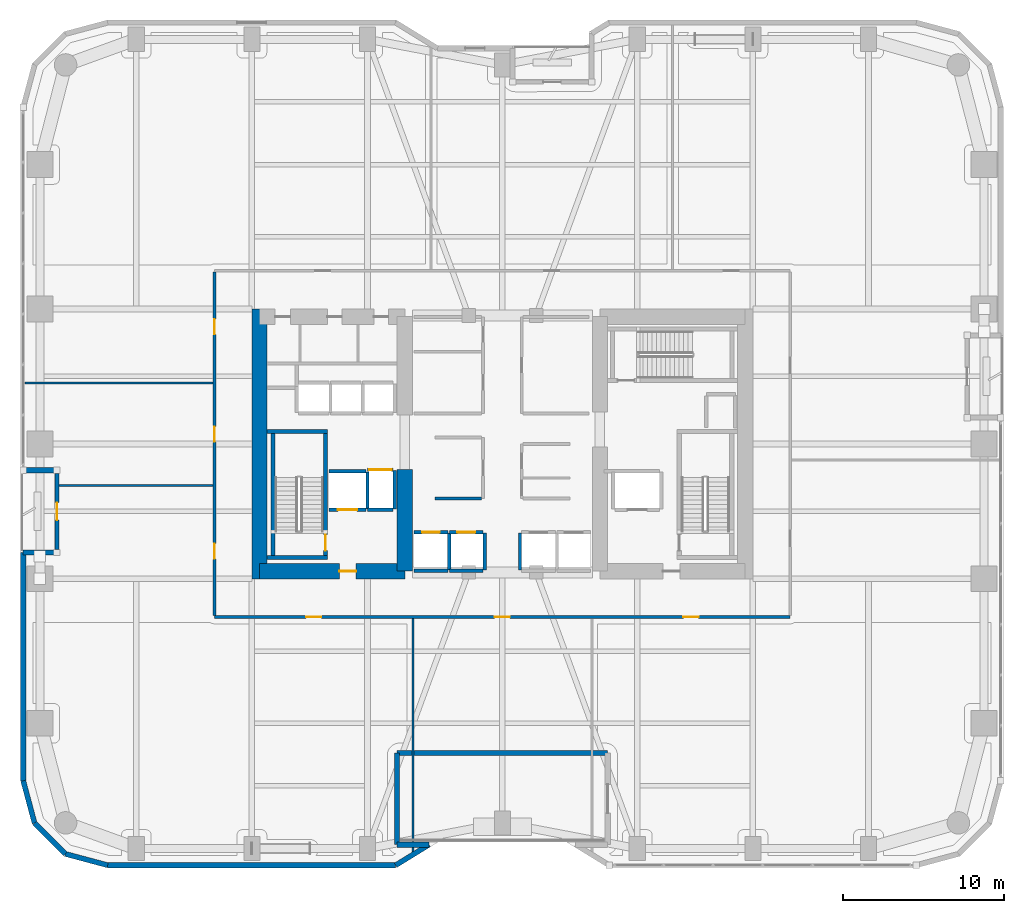
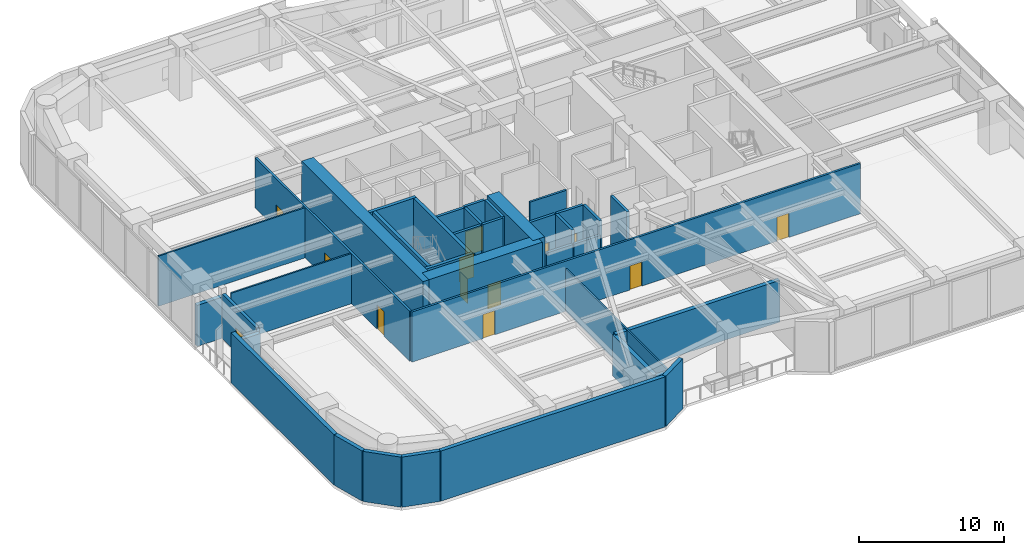
# One storey, part 17 of 25: 38 walls, 13 doors, 13 openings.
"""IFC4 building model written with IfcOpenShell, lengths in metres."""

from ifc_helpers import new_model, si_unit, direction, frame, frame_2d, origin, place, context, subcontext, project, spatial, rectangle, extrude, material, layer, layer_set, type_object, element, fill, save


model = new_model("IFC4")

# Units and contexts
model_context = context("Model", 3, precision=1e-05, world=origin(), true_north=direction((0.0, 1.0)))
body_context = subcontext(model_context, "Body", "Model", "MODEL_VIEW")
ifc_project = project(units=[si_unit("LENGTHUNIT", "METRE"), si_unit("AREAUNIT", "SQUARE_METRE"), si_unit("VOLUMEUNIT", "CUBIC_METRE"), si_unit("PLANEANGLEUNIT", "RADIAN"), si_unit("MASSUNIT", "GRAM", prefix="KILO")], contexts=[model_context])

# Site, building, storey
site_placement = place(None, origin())
site = spatial("IfcSite", under=ifc_project, at=site_placement, CompositionType="ELEMENT")
building_placement = place(site_placement, origin())
building = spatial("IfcBuilding", under=site, at=building_placement, Name="Kiyonajd Concourse Tower", CompositionType="ELEMENT")
storey_placement = place(building_placement, frame((0.0, 0.0, 68.39990234375)))
storey = spatial("IfcBuildingStorey", under=building, at=storey_placement, Name="L18", CompositionType="ELEMENT", Elevation=68.39990234375)

# Walls
ifc_material_1 = material(Name="Concrete C80/95", Category="concrete")
ifc_layer_1 = layer(ifc_material_1, 0.949951171875)
ifc_layer_set_1 = layer_set([ifc_layer_1], Name="Concrete C80/95")
wall_type_1 = type_object("IfcWallType", Name="WL-CORE-950", PredefinedType="SHEAR", material=ifc_layer_set_1)
wall_1_placement = place(storey_placement, frame((32.875, 27.60009765625, 0.0), z_axis=(0.0, 0.0, 1.0), x_axis=(0.0, 1.0, 0.0)))
element("IfcWall", 1, at=wall_1_placement, inside=storey, type_object=wall_type_1, Name="L18 West Core Outer Shear Wall", PredefinedType="SHEAR", context=body_context, shape_type="SweptSolid", body=[
    extrude(rectangle(XDim=16.7998046875, YDim=0.949951171875, at=frame_2d((8.39990234375, 0.0))), origin(), (0.0, 0.0, 1.0), 4.5),
])
wall_2_placement = place(storey_placement, frame((41.925048828125, 28.074951171875, 0.0), z_axis=(0.0, 0.0, 1.0), x_axis=(0.0, 1.0, 0.0)))
element("IfcWall", 2, at=wall_2_placement, inside=storey, type_object=wall_type_1, Name="L18 West Core Inner South Shear Wall", PredefinedType="SHEAR", context=body_context, shape_type="SweptSolid", body=[
    extrude(rectangle(XDim=6.324951171875, YDim=0.949951171875, at=frame_2d((3.16259765625, 0.0))), origin(), (0.0, 0.0, 1.0), 4.5),
])

# Wall, opening, door
wall_3_placement = place(storey_placement, frame((32.875, 28.074951171875, 0.0), z_axis=(0.0, 0.0, 1.0), x_axis=(1.0, 0.0, 0.0)))
wall_3 = element("IfcWall", 3, at=wall_3_placement, inside=storey, type_object=wall_type_1, Name="L18 West Core South Shear Wall", PredefinedType="SHEAR", context=body_context, shape_type="SweptSolid", body=[
    extrude(rectangle(XDim=9.050048828125, YDim=0.949951171875, at=frame_2d((4.52490234375, 0.0))), origin(), (0.0, 0.0, 1.0), 4.5),
])
opening_1_placement = place(wall_3_placement, frame((4.97509765625, 0.0, 0.0)))
opening_1 = element("IfcOpeningElement", 4, at=opening_1_placement, cuts=wall_3, Name="Opening DF5", PredefinedType="OPENING", context=body_context, shape_type="SweptSolid", body=[
    extrude(rectangle(XDim=1.050048828125, YDim=2.0400390625, at=frame_2d((0.52490234375, 1.02001953125))), frame((0.0, 0.48486328125, 0.0), z_axis=(0.0, -1.0, 0.0), x_axis=(1.0, 0.0, 0.0)), (0.0, 0.0, 1.0), 0.969970703125),
])
ifc_material_2 = material(Name="Brushed Stainless Steel Cab Assembly", Category="steel")
door_type_1 = type_object("IfcDoorType", Name="DR-FD45-1050", OperationType="NOTDEFINED", PredefinedType="DOOR", material=ifc_material_2)
door_1_placement = place(opening_1_placement, origin())
door_1 = element("IfcDoor", 5, at=door_1_placement, inside=storey, type_object=door_type_1, Name="L18 Firefighting Lift Lobby W Smoke Door", OperationType="SINGLE_SWING_LEFT", OverallHeight=2.0400390625, OverallWidth=1.050048828125, PredefinedType="DOOR", context=body_context, shape_type="SweptSolid", body=[
    extrude(rectangle(XDim=1.050048828125, YDim=2.0400390625, at=frame_2d((0.52490234375, 1.02001953125))), frame((0.0, 0.02490234375, 0.0), z_axis=(0.0, -1.0, 0.0), x_axis=(1.0, 0.0, 0.0)), (0.0, 0.0, 1.0), 0.050048828125),
])
fill(opening_1, door_1)

# Walls
ifc_material_3 = material(Name="Precast concrete C50/60", Category="concrete")
ifc_layer_2 = layer(ifc_material_3, 0.320068359375)
ifc_layer_set_2 = layer_set([ifc_layer_2], Name="Precast concrete C50/60")
wall_type_2 = type_object("IfcWallType", Name="WL-EXT-320", PredefinedType="SOLIDWALL", material=ifc_layer_set_2)
wall_4_placement = place(storey_placement, frame((54.56005859375, 16.760009765625, 0.0), z_axis=(0.0, 0.0, 1.0), x_axis=(-1.0, 0.0, 0.0)))
element("IfcWall", 6, at=wall_4_placement, inside=storey, type_object=wall_type_2, Name="L18 Sky Garden Threshold Wall", PredefinedType="SOLIDWALL", context=body_context, shape_type="SweptSolid", body=[
    extrude(rectangle(XDim=13.1201171875, YDim=0.320068359375, at=frame_2d((6.56005859375, 0.0))), origin(), (0.0, 0.0, 1.0), 3.530029296875),
])
wall_5_placement = place(storey_placement, frame((41.43994140625, 16.760009765625, 0.0), z_axis=(0.0, 0.0, 1.0), x_axis=(0.0, -1.0, 0.0)))
element("IfcWall", 7, at=wall_5_placement, inside=storey, type_object=wall_type_2, Name="L18 Sky Garden Threshold Wall", PredefinedType="SOLIDWALL", context=body_context, shape_type="SweptSolid", body=[
    extrude(rectangle(XDim=5.719970703125, YDim=0.320068359375, at=frame_2d((2.85986328125, 0.0))), origin(), (0.0, 0.0, 1.0), 3.47509765625),
])
wall_6_placement = place(storey_placement, frame((41.43994140625, 11.0400390625, 0.0), z_axis=(0.0, 0.0, 1.0), x_axis=(1.0, 0.0, 0.0)))
element("IfcWall", 8, at=wall_6_placement, inside=storey, type_object=wall_type_2, Name="L18 Exterior Concrete Frame Wall 15", PredefinedType="SOLIDWALL", context=body_context, shape_type="SweptSolid", body=[
    extrude(rectangle(XDim=1.994873046875, YDim=0.320068359375, at=frame_2d((0.99755859375, 0.0))), origin(), (0.0, 0.0, 1.0), 3.47509765625),
])
wall_7_placement = place(storey_placement, frame((43.434814453125, 11.0400390625, 0.0), z_axis=(0.0, 0.0, 1.0), x_axis=(-0.8516617488, -0.524091848469, 0.0)))
element("IfcWall", 9, at=wall_7_placement, inside=storey, type_object=wall_type_2, Name="L18 Exterior Concrete Frame Wall 16", PredefinedType="SOLIDWALL", context=body_context, shape_type="SweptSolid", body=[
    extrude(rectangle(XDim=2.4423828125, YDim=0.320068359375, at=frame_2d((1.22119140625, 0.0))), origin(), (0.0, 0.0, 1.0), 4.239990234375),
])
wall_8_placement = place(storey_placement, frame((41.354736328125, 9.760009765625, 0.0), z_axis=(0.0, 0.0, 1.0), x_axis=(-1.0, 0.0, 0.0)))
element("IfcWall", 10, at=wall_8_placement, inside=storey, type_object=wall_type_2, Name="L18 Exterior Concrete Frame Wall 17", PredefinedType="SOLIDWALL", context=body_context, shape_type="SweptSolid", body=[
    extrude(rectangle(XDim=17.93359375, YDim=0.320068359375, at=frame_2d((8.966796875, 0.0))), origin(), (0.0, 0.0, 1.0), 4.239990234375),
])
wall_9_placement = place(storey_placement, frame((23.421142578125, 9.760009765625, 0.0), z_axis=(0.0, 0.0, 1.0), x_axis=(-0.965964405026, 0.25867502435, 0.0)))
element("IfcWall", 11, at=wall_9_placement, inside=storey, type_object=wall_type_2, Name="L18 Exterior Concrete Frame Wall 18", PredefinedType="SOLIDWALL", context=body_context, shape_type="SweptSolid", body=[
    extrude(rectangle(XDim=2.7314453125, YDim=0.320068359375, at=frame_2d((1.36572265625, 0.0))), origin(), (0.0, 0.0, 1.0), 4.239990234375),
])
wall_10_placement = place(storey_placement, frame((20.78271484375, 10.466552734375, 0.0), z_axis=(0.0, 0.0, 1.0), x_axis=(-0.707106781187, 0.707106781187, 0.0)))
element("IfcWall", 12, at=wall_10_placement, inside=storey, type_object=wall_type_2, Name="L18 Exterior Concrete Frame Wall 19", PredefinedType="SOLIDWALL", context=body_context, shape_type="SweptSolid", body=[
    extrude(rectangle(XDim=2.7099609375, YDim=0.320068359375, at=frame_2d((1.35498046875, 0.0))), origin(), (0.0, 0.0, 1.0), 4.239990234375),
])
wall_11_placement = place(storey_placement, frame((18.866455078125, 12.3828125, 0.0), z_axis=(0.0, 0.0, 1.0), x_axis=(-0.25869736047, 0.965958423373, 0.0)))
element("IfcWall", 13, at=wall_11_placement, inside=storey, type_object=wall_type_2, Name="L18 Exterior Concrete Frame Wall 20", PredefinedType="SOLIDWALL", context=body_context, shape_type="SweptSolid", body=[
    extrude(rectangle(XDim=2.731201171875, YDim=0.320068359375, at=frame_2d((1.36572265625, 0.0))), origin(), (0.0, 0.0, 1.0), 4.239990234375),
])
wall_12_placement = place(storey_placement, frame((18.159912109375, 15.02099609375, 0.0), z_axis=(0.0, 0.0, 1.0), x_axis=(0.0, 1.0, 0.0)))
element("IfcWall", 14, at=wall_12_placement, inside=storey, type_object=wall_type_2, Name="L18 Exterior Concrete Frame Wall 21", PredefinedType="SOLIDWALL", context=body_context, shape_type="SweptSolid", body=[
    extrude(rectangle(XDim=14.218994140625, YDim=0.320068359375, at=frame_2d((7.109375, 0.0))), origin(), (0.0, 0.0, 1.0), 4.239990234375),
])
for number, where, z_axis, x_axis, name in (
    (15, (18.159912109375, 29.239990234375, 0.0), (0.0, 0.0, 1.0), (1.0, 0.0, 0.0), "L18 Exterior Concrete Frame Wall 22"),
    (16, (20.260009765625, 34.360107421875, 0.0), (0.0, 0.0, 1.0), (-1.0, 0.0, 0.0), "L18 Exterior Concrete Frame Wall 24"),
):
    element("IfcWall", number, at=place(storey_placement, frame(where, z_axis=z_axis, x_axis=x_axis)), inside=storey, type_object=wall_type_2, Name=name, PredefinedType="SOLIDWALL", context=body_context, shape_type="SweptSolid", body=[
        extrude(rectangle(XDim=2.10009765625, YDim=0.320068359375, at=frame_2d((1.050048828125, 0.0))), origin(), (0.0, 0.0, 1.0), 3.47509765625),
    ])

# Wall, opening, door
ifc_layer_3 = layer(ifc_material_3, 0.239990234375)
ifc_layer_set_3 = layer_set([ifc_layer_3], Name="Precast concrete C50/60")
wall_type_3 = type_object("IfcWallType", Name="WL-LOG-240", PredefinedType="SOLIDWALL", material=ifc_layer_set_3)
wall_13_placement = place(storey_placement, frame((20.260009765625, 29.43505859375, 0.0), z_axis=(0.0, 0.0, 1.0), x_axis=(0.0, 1.0, 0.0)))
wall_13 = element("IfcWall", 17, at=wall_13_placement, inside=storey, type_object=wall_type_3, Name="L18 Recessed Loggia Thermal Wall LOG-W", PredefinedType="SOLIDWALL", context=body_context, shape_type="SweptSolid", body=[
    extrude(rectangle(XDim=4.72998046875, YDim=0.239990234375, at=frame_2d((2.364990234375, 0.0))), origin(), (0.0, 0.0, 1.0), 3.76220703125),
])
opening_2_placement = place(wall_13_placement, frame((1.81494140625, 0.0, 0.0)))
opening_2 = element("IfcOpeningElement", 18, at=opening_2_placement, cuts=wall_13, Name="Opening DL2", PredefinedType="OPENING", context=body_context, shape_type="SweptSolid", body=[
    extrude(rectangle(XDim=1.10009765625, YDim=2.0400390625, at=frame_2d((0.550048828125, 1.02001953125))), frame((0.0, 0.1298828125, 0.0), z_axis=(0.0, -1.0, 0.0), x_axis=(1.0, 0.0, 0.0)), (0.0, 0.0, 1.0), 0.260009765625),
])
ifc_material_4 = material(Name="Thermally Broken Anodised Aluminium", Category="aluminium")
door_type_2 = type_object("IfcDoorType", Name="DR-LOG-1100", OperationType="NOTDEFINED", PredefinedType="DOOR", material=ifc_material_4)
door_2_placement = place(opening_2_placement, origin())
door_2 = element("IfcDoor", 19, at=door_2_placement, inside=storey, type_object=door_type_2, Name="L18 Engawa Loggia Access Door LOG-W", OperationType="SINGLE_SWING_RIGHT", OverallHeight=2.0400390625, OverallWidth=1.10009765625, PredefinedType="DOOR", context=body_context, shape_type="SweptSolid", body=[
    extrude(rectangle(XDim=1.10009765625, YDim=2.0400390625, at=frame_2d((0.550048828125, 1.02001953125))), frame((0.0, 0.02490234375, 0.0), z_axis=(0.0, -1.0, 0.0), x_axis=(1.0, 0.0, 0.0)), (0.0, 0.0, 1.0), 0.050048828125),
])
fill(opening_2, door_2)

# Walls
ifc_material_5 = material(Name="Gypsum Board on Cold-Formed Steel Stud", Category="steel")
ifc_layer_4 = layer(ifc_material_5, 0.125)
ifc_layer_set_4 = layer_set([ifc_layer_4], Name="Gypsum Board on Cold-Formed Steel Stud")
wall_type_4 = type_object("IfcWallType", Name="WL-PART-125", PredefinedType="PARTITIONING", material=ifc_layer_set_4)
wall_14_placement = place(storey_placement, frame((42.419921875, 10.570068359375, 0.0), z_axis=(0.0, 0.0, 1.0), x_axis=(0.0, 1.0, 0.0)))
element("IfcWall", 20, at=wall_14_placement, inside=storey, type_object=wall_type_4, Name="L18 Interior Partition Wall", PredefinedType="PARTITIONING", context=body_context, shape_type="SweptSolid", body=[
    extrude(rectangle(XDim=14.56298828125, YDim=0.125, at=frame_2d((7.281494140625, 0.0))), origin(), (0.0, 0.0, 1.0), 3.60302734375),
])
wall_15_placement = place(storey_placement, frame((20.375, 33.39990234375, 0.0), z_axis=(0.0, 0.0, 1.0), x_axis=(1.0, 0.0, 0.0)))
element("IfcWall", 21, at=wall_15_placement, inside=storey, type_object=wall_type_4, Name="L18 Interior Partition Wall", PredefinedType="PARTITIONING", context=body_context, shape_type="SweptSolid", body=[
    extrude(rectangle(XDim=9.613037109375, YDim=0.125, at=frame_2d((4.806640625, 0.0))), origin(), (0.0, 0.0, 1.0), 4.239990234375),
])
wall_16_placement = place(storey_placement, frame((18.264892578125, 39.800048828125, 0.0), z_axis=(0.0, 0.0, 1.0), x_axis=(1.0, 0.0, 0.0)))
element("IfcWall", 22, at=wall_16_placement, inside=storey, type_object=wall_type_4, Name="L18 Interior Partition Wall", PredefinedType="PARTITIONING", context=body_context, shape_type="SweptSolid", body=[
    extrude(rectangle(XDim=11.72314453125, YDim=0.125, at=frame_2d((5.861572265625, 0.0))), origin(), (0.0, 0.0, 1.0), 4.239990234375),
])

# Wall, opening, door
ifc_layer_5 = layer(ifc_material_5, 0.2099609375)
ifc_layer_set_5 = layer_set([ifc_layer_5], Name="Gypsum Board on Cold-Formed Steel Stud")
wall_type_5 = type_object("IfcWallType", Name="WL-SHAFT-210", PredefinedType="PARTITIONING", material=ifc_layer_set_5)
wall_17_placement = place(storey_placement, frame((37.199951171875, 31.89990234375, 0.0), z_axis=(0.0, 0.0, 1.0), x_axis=(1.0, 0.0, 0.0)))
wall_17 = element("IfcWall", 23, at=wall_17_placement, inside=storey, type_object=wall_type_5, Name="L18 Shaft Enclosure Wall", PredefinedType="PARTITIONING", context=body_context, shape_type="SweptSolid", body=[
    extrude(rectangle(XDim=2.300048828125, YDim=0.2099609375, at=frame_2d((1.14990234375, 0.0))), origin(), (0.0, 0.0, 1.0), 4.239990234375),
])
opening_3_placement = place(wall_17_placement, frame((0.550048828125, 0.0, 0.0)))
opening_3 = element("IfcOpeningElement", 24, at=opening_3_placement, cuts=wall_17, Name="Opening LD2", PredefinedType="OPENING", context=body_context, shape_type="SweptSolid", body=[
    extrude(rectangle(XDim=1.199951171875, YDim=2.0400390625, at=frame_2d((0.60009765625, 1.02001953125))), frame((0.0, 0.114990234375, 0.0), z_axis=(0.0, -1.0, 0.0), x_axis=(1.0, 0.0, 0.0)), (0.0, 0.0, 1.0), 0.22998046875),
])
door_type_3 = type_object("IfcDoorType", Name="DR-LD-1200", OperationType="DOUBLE_DOOR_SLIDING", PredefinedType="DOOR", material=ifc_material_2)
door_3_placement = place(opening_3_placement, origin())
door_3 = element("IfcDoor", 25, at=door_3_placement, inside=storey, type_object=door_type_3, Name="L18 Lift FFL1 Sliding Landing Door", OperationType="DOUBLE_DOOR_SLIDING", OverallHeight=2.0400390625, OverallWidth=1.199951171875, PredefinedType="DOOR", context=body_context, shape_type="SweptSolid", body=[
    extrude(rectangle(XDim=1.199951171875, YDim=2.0400390625, at=frame_2d((0.60009765625, 1.02001953125))), frame((0.0, 0.02490234375, 0.0), z_axis=(0.0, -1.0, 0.0), x_axis=(1.0, 0.0, 0.0)), (0.0, 0.0, 1.0), 0.050048828125),
])
fill(opening_3, door_3)

# Walls
wall_18_placement = place(storey_placement, frame((37.199951171875, 34.300048828125, 0.0), z_axis=(0.0, 0.0, 1.0), x_axis=(1.0, 0.0, 0.0)))
element("IfcWall", 26, at=wall_18_placement, inside=storey, type_object=wall_type_5, Name="L18 Shaft Enclosure Wall", PredefinedType="PARTITIONING", context=body_context, shape_type="SweptSolid", body=[
    extrude(rectangle(XDim=2.300048828125, YDim=0.2099609375, at=frame_2d((1.14990234375, 0.0))), origin(), (0.0, 0.0, 1.0), 4.239990234375),
])
wall_19_placement = place(storey_placement, frame((39.60009765625, 31.9599609375, 0.0), z_axis=(0.0, 0.0, 1.0), x_axis=(0.0, 1.0, 0.0)))
element("IfcWall", 27, at=wall_19_placement, inside=storey, type_object=wall_type_5, Name="L18 Shaft Enclosure Wall", PredefinedType="PARTITIONING", context=body_context, shape_type="SweptSolid", body=[
    extrude(rectangle(XDim=2.280029296875, YDim=0.2099609375, at=frame_2d((1.14013671875, 0.0))), origin(), (0.0, 0.0, 1.0), 4.239990234375),
])

# Wall, opening, door
wall_20_placement = place(storey_placement, frame((39.60009765625, 34.39990234375, 0.0), z_axis=(0.0, 0.0, 1.0), x_axis=(1.0, 0.0, 0.0)))
wall_20 = element("IfcWall", 28, at=wall_20_placement, inside=storey, type_object=wall_type_5, Name="L18 Shaft Enclosure Wall", PredefinedType="PARTITIONING", context=body_context, shape_type="SweptSolid", body=[
    extrude(rectangle(XDim=1.599853515625, YDim=0.2099609375, at=frame_2d((0.7998046875, 0.0))), origin(), (0.0, 0.0, 1.0), 4.239990234375),
])
opening_4_placement = place(wall_20_placement, frame((0.10009765625, 0.0, 0.0)))
opening_4 = element("IfcOpeningElement", 29, at=opening_4_placement, cuts=wall_20, Name="Opening LD3", PredefinedType="OPENING", context=body_context, shape_type="SweptSolid", body=[
    extrude(rectangle(XDim=1.39990234375, YDim=2.06005859375, at=frame_2d((0.699951171875, 1.030029296875))), frame((0.0, 0.114990234375, 0.0), z_axis=(0.0, -1.0, 0.0), x_axis=(1.0, 0.0, 0.0)), (0.0, 0.0, 1.0), 0.22998046875),
])
door_type_4 = type_object("IfcDoorType", Name="DR-LD-1400", OperationType="DOUBLE_DOOR_SLIDING", PredefinedType="DOOR", material=ifc_material_2)
door_4_placement = place(opening_4_placement, origin())
door_4 = element("IfcDoor", 30, at=door_4_placement, inside=storey, type_object=door_type_4, Name="L18 Lift SVL1 Sliding Landing Door", OperationType="DOUBLE_DOOR_SLIDING", OverallHeight=2.06005859375, OverallWidth=1.39990234375, PredefinedType="DOOR", context=body_context, shape_type="SweptSolid", body=[
    extrude(rectangle(XDim=1.39990234375, YDim=2.06005859375, at=frame_2d((0.699951171875, 1.030029296875))), frame((0.0, 0.02490234375, 0.0), z_axis=(0.0, -1.0, 0.0), x_axis=(1.0, 0.0, 0.0)), (0.0, 0.0, 1.0), 0.050048828125),
])
fill(opening_4, door_4)

# Walls
wall_21_placement = place(storey_placement, frame((39.60009765625, 31.89990234375, 0.0), z_axis=(0.0, 0.0, 1.0), x_axis=(1.0, 0.0, 0.0)))
element("IfcWall", 31, at=wall_21_placement, inside=storey, type_object=wall_type_5, Name="L18 Shaft Enclosure Wall", PredefinedType="PARTITIONING", context=body_context, shape_type="SweptSolid", body=[
    extrude(rectangle(XDim=1.599853515625, YDim=0.2099609375, at=frame_2d((0.7998046875, 0.0))), origin(), (0.0, 0.0, 1.0), 4.239990234375),
])
wall_22_placement = place(storey_placement, frame((41.300048828125, 31.9599609375, 0.0), z_axis=(0.0, 0.0, 1.0), x_axis=(0.0, 1.0, 0.0)))
element("IfcWall", 32, at=wall_22_placement, inside=storey, type_object=wall_type_5, Name="L18 Shaft Enclosure Wall", PredefinedType="PARTITIONING", context=body_context, shape_type="SweptSolid", body=[
    extrude(rectangle(XDim=2.380126953125, YDim=0.2099609375, at=frame_2d((1.18994140625, 0.0))), origin(), (0.0, 0.0, 1.0), 4.239990234375),
])

# Wall, opening, door
wall_23_placement = place(storey_placement, frame((42.5, 30.5, 0.0), z_axis=(0.0, 0.0, 1.0), x_axis=(1.0, 0.0, 0.0)))
wall_23 = element("IfcWall", 33, at=wall_23_placement, inside=storey, type_object=wall_type_5, Name="L18 Shaft Enclosure Wall", PredefinedType="PARTITIONING", context=body_context, shape_type="SweptSolid", body=[
    extrude(rectangle(XDim=2.10009765625, YDim=0.2099609375, at=frame_2d((1.050048828125, 0.0))), origin(), (0.0, 0.0, 1.0), 4.239990234375),
])
opening_5_placement = place(wall_23_placement, frame((0.5, 0.0, 0.0)))
opening_5 = element("IfcOpeningElement", 34, at=opening_5_placement, cuts=wall_23, Name="Opening LD1", PredefinedType="OPENING", context=body_context, shape_type="SweptSolid", body=[
    extrude(rectangle(XDim=1.10009765625, YDim=2.0400390625, at=frame_2d((0.550048828125, 1.02001953125))), frame((0.0, 0.114990234375, 0.0), z_axis=(0.0, -1.0, 0.0), x_axis=(1.0, 0.0, 0.0)), (0.0, 0.0, 1.0), 0.22998046875),
])
door_type_5 = type_object("IfcDoorType", Name="DR-LD-1100", OperationType="DOUBLE_DOOR_SLIDING", PredefinedType="DOOR", material=ifc_material_2)
door_5_placement = place(opening_5_placement, origin())
door_5 = element("IfcDoor", 35, at=door_5_placement, inside=storey, type_object=door_type_5, Name="L18 Lift PL-L1 Sliding Landing Door", OperationType="DOUBLE_DOOR_SLIDING", OverallHeight=2.0400390625, OverallWidth=1.10009765625, PredefinedType="DOOR", context=body_context, shape_type="SweptSolid", body=[
    extrude(rectangle(XDim=1.10009765625, YDim=2.0400390625, at=frame_2d((0.550048828125, 1.02001953125))), frame((0.0, 0.02490234375, 0.0), z_axis=(0.0, -1.0, 0.0), x_axis=(1.0, 0.0, 0.0)), (0.0, 0.0, 1.0), 0.050048828125),
])
fill(opening_5, door_5)

# Walls
wall_24_placement = place(storey_placement, frame((42.5, 28.10009765625, 0.0), z_axis=(0.0, 0.0, 1.0), x_axis=(1.0, 0.0, 0.0)))
element("IfcWall", 36, at=wall_24_placement, inside=storey, type_object=wall_type_5, Name="L18 Shaft Enclosure Wall", PredefinedType="PARTITIONING", context=body_context, shape_type="SweptSolid", body=[
    extrude(rectangle(XDim=2.10009765625, YDim=0.2099609375, at=frame_2d((1.050048828125, 0.0))), origin(), (0.0, 0.0, 1.0), 3.125),
])
wall_25_placement = place(storey_placement, frame((44.699951171875, 28.159912109375, 0.0), z_axis=(0.0, 0.0, 1.0), x_axis=(0.0, 1.0, 0.0)))
element("IfcWall", 37, at=wall_25_placement, inside=storey, type_object=wall_type_5, Name="L18 Shaft Enclosure Wall", PredefinedType="PARTITIONING", context=body_context, shape_type="SweptSolid", body=[
    extrude(rectangle(XDim=2.280029296875, YDim=0.2099609375, at=frame_2d((1.14013671875, 0.0))), origin(), (0.0, 0.0, 1.0), 4.239990234375),
])

# Wall, opening, door
wall_26_placement = place(storey_placement, frame((44.699951171875, 30.5, 0.0), z_axis=(0.0, 0.0, 1.0), x_axis=(1.0, 0.0, 0.0)))
wall_26 = element("IfcWall", 38, at=wall_26_placement, inside=storey, type_object=wall_type_5, Name="L18 Shaft Enclosure Wall", PredefinedType="PARTITIONING", context=body_context, shape_type="SweptSolid", body=[
    extrude(rectangle(XDim=2.10009765625, YDim=0.2099609375, at=frame_2d((1.050048828125, 0.0))), origin(), (0.0, 0.0, 1.0), 4.239990234375),
])
opening_6_placement = place(wall_26_placement, frame((0.5, 0.0, 0.0)))
opening_6 = element("IfcOpeningElement", 39, at=opening_6_placement, cuts=wall_26, Name="Opening LD1", PredefinedType="OPENING", context=body_context, shape_type="SweptSolid", body=[
    extrude(rectangle(XDim=1.10009765625, YDim=2.0400390625, at=frame_2d((0.550048828125, 1.02001953125))), frame((0.0, 0.114990234375, 0.0), z_axis=(0.0, -1.0, 0.0), x_axis=(1.0, 0.0, 0.0)), (0.0, 0.0, 1.0), 0.22998046875),
])
door_6_placement = place(opening_6_placement, origin())
door_6 = element("IfcDoor", 40, at=door_6_placement, inside=storey, type_object=door_type_5, Name="L18 Lift PL-L2 Sliding Landing Door", OperationType="DOUBLE_DOOR_SLIDING", OverallHeight=2.0400390625, OverallWidth=1.10009765625, PredefinedType="DOOR", context=body_context, shape_type="SweptSolid", body=[
    extrude(rectangle(XDim=1.10009765625, YDim=2.0400390625, at=frame_2d((0.550048828125, 1.02001953125))), frame((0.0, 0.02490234375, 0.0), z_axis=(0.0, -1.0, 0.0), x_axis=(1.0, 0.0, 0.0)), (0.0, 0.0, 1.0), 0.050048828125),
])
fill(opening_6, door_6)

# Walls
wall_27_placement = place(storey_placement, frame((44.699951171875, 28.10009765625, 0.0), z_axis=(0.0, 0.0, 1.0), x_axis=(1.0, 0.0, 0.0)))
element("IfcWall", 41, at=wall_27_placement, inside=storey, type_object=wall_type_5, Name="L18 Shaft Enclosure Wall", PredefinedType="PARTITIONING", context=body_context, shape_type="SweptSolid", body=[
    extrude(rectangle(XDim=2.10009765625, YDim=0.2099609375, at=frame_2d((1.050048828125, 0.0))), origin(), (0.0, 0.0, 1.0), 3.125),
])
for number, where, z_axis, x_axis, name in (
    (42, (46.89990234375, 28.159912109375, 0.0), (0.0, 0.0, 1.0), (0.0, 1.0, 0.0), "L18 Shaft Enclosure Wall"),
    (43, (49.10009765625, 28.159912109375, 0.0), (0.0, 0.0, 1.0), (0.0, 1.0, 0.0), "L18 Shaft Enclosure Wall"),
):
    element("IfcWall", number, at=place(storey_placement, frame(where, z_axis=z_axis, x_axis=x_axis)), inside=storey, type_object=wall_type_5, Name=name, PredefinedType="PARTITIONING", context=body_context, shape_type="SweptSolid", body=[
        extrude(rectangle(XDim=2.280029296875, YDim=0.2099609375, at=frame_2d((1.14013671875, 0.0))), origin(), (0.0, 0.0, 1.0), 4.239990234375),
    ])
ifc_layer_6 = layer(ifc_material_5, 0.169921875)
ifc_layer_set_6 = layer_set([ifc_layer_6], Name="Gypsum Board on Cold-Formed Steel Stud")
wall_type_6 = type_object("IfcWallType", Name="WL-SMK-170", PredefinedType="PARTITIONING", material=ifc_layer_set_6)
wall_28_placement = place(storey_placement, frame((43.800048828125, 32.60009765625, 0.0), z_axis=(0.0, 0.0, 1.0), x_axis=(1.0, 0.0, 0.0)))
element("IfcWall", 44, at=wall_28_placement, inside=storey, type_object=wall_type_6, Name="L18 Interior Partition Wall", PredefinedType="PARTITIONING", context=body_context, shape_type="SweptSolid", body=[
    extrude(rectangle(XDim=2.912841796875, YDim=0.169921875, at=frame_2d((1.45654296875, 0.0))), origin(), (0.0, 0.0, 1.0), 4.239990234375),
])

# Wall, openings, doors
wall_29_placement = place(storey_placement, frame((30.074951171875, 25.219970703125, 0.0), z_axis=(0.0, 0.0, 1.0), x_axis=(1.0, 0.0, 0.0)))
wall_29 = element("IfcWall", 45, at=wall_29_placement, inside=storey, type_object=wall_type_6, Name="L18 Interior Partition Wall", PredefinedType="PARTITIONING", context=body_context, shape_type="SweptSolid", body=[
    extrude(rectangle(XDim=35.85009765625, YDim=0.169921875, at=frame_2d((17.925048828125, 0.0))), origin(), (0.0, 0.0, 1.0), 4.239990234375),
])
opening_7_placement = place(wall_29_placement, frame((5.697998046875, 0.0, 0.0)))
opening_7 = element("IfcOpeningElement", 46, at=opening_7_placement, cuts=wall_29, Name="Opening DI1", PredefinedType="OPENING", context=body_context, shape_type="SweptSolid", body=[
    extrude(rectangle(XDim=0.949951171875, YDim=2.0400390625, at=frame_2d((0.47509765625, 1.02001953125))), frame((0.0, 0.094970703125, 0.0), z_axis=(0.0, -1.0, 0.0), x_axis=(1.0, 0.0, 0.0)), (0.0, 0.0, 1.0), 0.18994140625),
])
opening_8_placement = place(wall_29_placement, frame((17.445068359375, 0.0, 0.0)))
opening_8 = element("IfcOpeningElement", 47, at=opening_8_placement, cuts=wall_29, Name="Opening DI1", PredefinedType="OPENING", context=body_context, shape_type="SweptSolid", body=[
    extrude(rectangle(XDim=0.949951171875, YDim=2.0400390625, at=frame_2d((0.47509765625, 1.02001953125))), frame((0.0, 0.094970703125, 0.0), z_axis=(0.0, -1.0, 0.0), x_axis=(1.0, 0.0, 0.0)), (0.0, 0.0, 1.0), 0.18994140625),
])
opening_9_placement = place(wall_29_placement, frame((29.197998046875, 0.0, 0.0)))
opening_9 = element("IfcOpeningElement", 48, at=opening_9_placement, cuts=wall_29, Name="Opening DI1", PredefinedType="OPENING", context=body_context, shape_type="SweptSolid", body=[
    extrude(rectangle(XDim=0.949951171875, YDim=2.0400390625, at=frame_2d((0.47509765625, 1.02001953125))), frame((0.0, 0.094970703125, 0.0), z_axis=(0.0, -1.0, 0.0), x_axis=(1.0, 0.0, 0.0)), (0.0, 0.0, 1.0), 0.18994140625),
])
ifc_material_6 = material(Name="Natural Oak Acoustic Timber Veneer", Category="wood")
door_type_6 = type_object("IfcDoorType", Name="DR-INT-950", OperationType="NOTDEFINED", PredefinedType="DOOR", material=ifc_material_6)
door_7_placement = place(opening_7_placement, origin())
door_7 = element("IfcDoor", 49, at=door_7_placement, inside=storey, type_object=door_type_6, Name="L18 Interior Door", OperationType="SINGLE_SWING_LEFT", OverallHeight=2.0400390625, OverallWidth=0.949951171875, PredefinedType="DOOR", context=body_context, shape_type="SweptSolid", body=[
    extrude(rectangle(XDim=0.949951171875, YDim=2.0400390625, at=frame_2d((0.47509765625, 1.02001953125))), frame((0.0, 0.02490234375, 0.0), z_axis=(0.0, -1.0, 0.0), x_axis=(1.0, 0.0, 0.0)), (0.0, 0.0, 1.0), 0.050048828125),
])
fill(opening_7, door_7)
door_8_placement = place(opening_8_placement, origin())
door_8 = element("IfcDoor", 50, at=door_8_placement, inside=storey, type_object=door_type_6, Name="L18 Interior Door", OperationType="SINGLE_SWING_RIGHT", OverallHeight=2.0400390625, OverallWidth=0.949951171875, PredefinedType="DOOR", context=body_context, shape_type="SweptSolid", body=[
    extrude(rectangle(XDim=0.949951171875, YDim=2.0400390625, at=frame_2d((0.47509765625, 1.02001953125))), frame((0.0, 0.02490234375, 0.0), z_axis=(0.0, -1.0, 0.0), x_axis=(1.0, 0.0, 0.0)), (0.0, 0.0, 1.0), 0.050048828125),
])
fill(opening_8, door_8)
door_9_placement = place(opening_9_placement, origin())
door_9 = element("IfcDoor", 51, at=door_9_placement, inside=storey, type_object=door_type_6, Name="L18 Interior Door", OperationType="SINGLE_SWING_LEFT", OverallHeight=2.0400390625, OverallWidth=0.949951171875, PredefinedType="DOOR", context=body_context, shape_type="SweptSolid", body=[
    extrude(rectangle(XDim=0.949951171875, YDim=2.0400390625, at=frame_2d((0.47509765625, 1.02001953125))), frame((0.0, 0.02490234375, 0.0), z_axis=(0.0, -1.0, 0.0), x_axis=(1.0, 0.0, 0.0)), (0.0, 0.0, 1.0), 0.050048828125),
])
fill(opening_9, door_9)

wall_30_placement = place(storey_placement, frame((30.074951171875, 25.306884765625, 0.0), z_axis=(0.0, 0.0, 1.0), x_axis=(0.0, 1.0, 0.0)))
wall_30 = element("IfcWall", 52, at=wall_30_placement, inside=storey, type_object=wall_type_6, Name="L18 Interior Partition Wall", PredefinedType="PARTITIONING", context=body_context, shape_type="SweptSolid", body=[
    extrude(rectangle(XDim=21.38623046875, YDim=0.169921875, at=frame_2d((10.693115234375, 0.0))), origin(), (0.0, 0.0, 1.0), 4.239990234375),
])
opening_10_placement = place(wall_30_placement, frame((3.528076171875, 0.0, 0.0)))
opening_10 = element("IfcOpeningElement", 53, at=opening_10_placement, cuts=wall_30, Name="Opening DI1", PredefinedType="OPENING", context=body_context, shape_type="SweptSolid", body=[
    extrude(rectangle(XDim=0.949951171875, YDim=2.0400390625, at=frame_2d((0.47509765625, 1.02001953125))), frame((0.0, 0.094970703125, 0.0), z_axis=(0.0, -1.0, 0.0), x_axis=(1.0, 0.0, 0.0)), (0.0, 0.0, 1.0), 0.18994140625),
])
opening_11_placement = place(wall_30_placement, frame((10.818115234375, 0.0, 0.0)))
opening_11 = element("IfcOpeningElement", 54, at=opening_11_placement, cuts=wall_30, Name="Opening DI1", PredefinedType="OPENING", context=body_context, shape_type="SweptSolid", body=[
    extrude(rectangle(XDim=0.949951171875, YDim=2.0400390625, at=frame_2d((0.47509765625, 1.02001953125))), frame((0.0, 0.094970703125, 0.0), z_axis=(0.0, -1.0, 0.0), x_axis=(1.0, 0.0, 0.0)), (0.0, 0.0, 1.0), 0.18994140625),
])
opening_12_placement = place(wall_30_placement, frame((17.508056640625, 0.0, 0.0)))
opening_12 = element("IfcOpeningElement", 55, at=opening_12_placement, cuts=wall_30, Name="Opening DI1", PredefinedType="OPENING", context=body_context, shape_type="SweptSolid", body=[
    extrude(rectangle(XDim=0.949951171875, YDim=2.0400390625, at=frame_2d((0.47509765625, 1.02001953125))), frame((0.0, 0.094970703125, 0.0), z_axis=(0.0, -1.0, 0.0), x_axis=(1.0, 0.0, 0.0)), (0.0, 0.0, 1.0), 0.18994140625),
])
door_10_placement = place(opening_10_placement, origin())
door_10 = element("IfcDoor", 56, at=door_10_placement, inside=storey, type_object=door_type_6, Name="L18 Interior Door", OperationType="SINGLE_SWING_LEFT", OverallHeight=2.0400390625, OverallWidth=0.949951171875, PredefinedType="DOOR", context=body_context, shape_type="SweptSolid", body=[
    extrude(rectangle(XDim=0.949951171875, YDim=2.0400390625, at=frame_2d((0.47509765625, 1.02001953125))), frame((0.0, 0.02490234375, 0.0), z_axis=(0.0, -1.0, 0.0), x_axis=(1.0, 0.0, 0.0)), (0.0, 0.0, 1.0), 0.050048828125),
])
fill(opening_10, door_10)
door_11_placement = place(opening_11_placement, origin())
door_11 = element("IfcDoor", 57, at=door_11_placement, inside=storey, type_object=door_type_6, Name="L18 Interior Door", OperationType="SINGLE_SWING_RIGHT", OverallHeight=2.0400390625, OverallWidth=0.949951171875, PredefinedType="DOOR", context=body_context, shape_type="SweptSolid", body=[
    extrude(rectangle(XDim=0.949951171875, YDim=2.0400390625, at=frame_2d((0.47509765625, 1.02001953125))), frame((0.0, 0.02490234375, 0.0), z_axis=(0.0, -1.0, 0.0), x_axis=(1.0, 0.0, 0.0)), (0.0, 0.0, 1.0), 0.050048828125),
])
fill(opening_11, door_11)
door_12_placement = place(opening_12_placement, origin())
door_12 = element("IfcDoor", 58, at=door_12_placement, inside=storey, type_object=door_type_6, Name="L18 Interior Door", OperationType="SINGLE_SWING_LEFT", OverallHeight=2.0400390625, OverallWidth=0.949951171875, PredefinedType="DOOR", context=body_context, shape_type="SweptSolid", body=[
    extrude(rectangle(XDim=0.949951171875, YDim=2.0400390625, at=frame_2d((0.47509765625, 1.02001953125))), frame((0.0, 0.02490234375, 0.0), z_axis=(0.0, -1.0, 0.0), x_axis=(1.0, 0.0, 0.0)), (0.0, 0.0, 1.0), 0.050048828125),
])
fill(opening_12, door_12)

# Walls
ifc_material_7 = material(Name="Concrete C50/60", Category="concrete")
ifc_layer_7 = layer(ifc_material_7, 0.260009765625)
ifc_layer_set_7 = layer_set([ifc_layer_7], Name="Concrete C50/60")
wall_type_7 = type_object("IfcWallType", Name="WL-STAIR-260", PredefinedType="SHEAR", material=ifc_layer_set_7)
for number, where, z_axis, x_axis, name in (
    (59, (33.35009765625, 28.919921875, 0.0), (0.0, 0.0, 1.0), (1.0, 0.0, 0.0), "L18 Stair ST1 Structural South Wall"),
    (60, (33.35009765625, 36.780029296875, 0.0), (0.0, 0.0, 1.0), (1.0, 0.0, 0.0), "L18 Stair ST1 Structural North Wall"),
):
    element("IfcWall", number, at=place(storey_placement, frame(where, z_axis=z_axis, x_axis=x_axis)), inside=storey, type_object=wall_type_7, Name=name, PredefinedType="SHEAR", context=body_context, shape_type="SweptSolid", body=[
        extrude(rectangle(XDim=3.760009765625, YDim=0.260009765625, at=frame_2d((1.8798828125, 0.0))), origin(), (0.0, 0.0, 1.0), 4.5),
    ])
wall_31_placement = place(storey_placement, frame((33.719970703125, 29.050048828125, 0.0), z_axis=(0.0, 0.0, 1.0), x_axis=(0.0, 1.0, 0.0)))
element("IfcWall", 61, at=wall_31_placement, inside=storey, type_object=wall_type_7, Name="L18 Stair ST1 Structural West Wall", PredefinedType="SHEAR", context=body_context, shape_type="SweptSolid", body=[
    extrude(rectangle(XDim=7.599853515625, YDim=0.260009765625, at=frame_2d((3.7998046875, 0.0))), origin(), (0.0, 0.0, 1.0), 4.5),
])

# Wall, opening, door
wall_32_placement = place(storey_placement, frame((36.97998046875, 29.050048828125, 0.0), z_axis=(0.0, 0.0, 1.0), x_axis=(0.0, 1.0, 0.0)))
wall_32 = element("IfcWall", 62, at=wall_32_placement, inside=storey, type_object=wall_type_7, Name="L18 Stair ST1 Structural East Wall", PredefinedType="SHEAR", context=body_context, shape_type="SweptSolid", body=[
    extrude(rectangle(XDim=7.599853515625, YDim=0.260009765625, at=frame_2d((3.7998046875, 0.0))), origin(), (0.0, 0.0, 1.0), 4.5),
])
opening_13_placement = place(wall_32_placement, frame((0.300048828125, 0.0, 0.0)))
opening_13 = element("IfcOpeningElement", 63, at=opening_13_placement, cuts=wall_32, Name="Opening DF1", PredefinedType="OPENING", context=body_context, shape_type="SweptSolid", body=[
    extrude(rectangle(XDim=1.0, YDim=2.0400390625, at=frame_2d((0.5, 1.02001953125))), frame((0.0, 0.139892578125, 0.0), z_axis=(0.0, -1.0, 0.0), x_axis=(1.0, 0.0, 0.0)), (0.0, 0.0, 1.0), 0.280029296875),
])
door_type_7 = type_object("IfcDoorType", Name="DR-FD90-1000", OperationType="NOTDEFINED", PredefinedType="DOOR", material=ifc_material_2)
door_13_placement = place(opening_13_placement, origin())
door_13 = element("IfcDoor", 64, at=door_13_placement, inside=storey, type_object=door_type_7, Name="L18 Stair ST1 FSAE Door", OperationType="SINGLE_SWING_LEFT", OverallHeight=2.0400390625, OverallWidth=1.0, PredefinedType="DOOR", context=body_context, shape_type="SweptSolid", body=[
    extrude(rectangle(XDim=1.0, YDim=2.0400390625, at=frame_2d((0.5, 1.02001953125))), frame((0.0, 0.02490234375, 0.0), z_axis=(0.0, -1.0, 0.0), x_axis=(1.0, 0.0, 0.0)), (0.0, 0.0, 1.0), 0.050048828125),
])
fill(opening_13, door_13)

save(model, "model.ifc")
